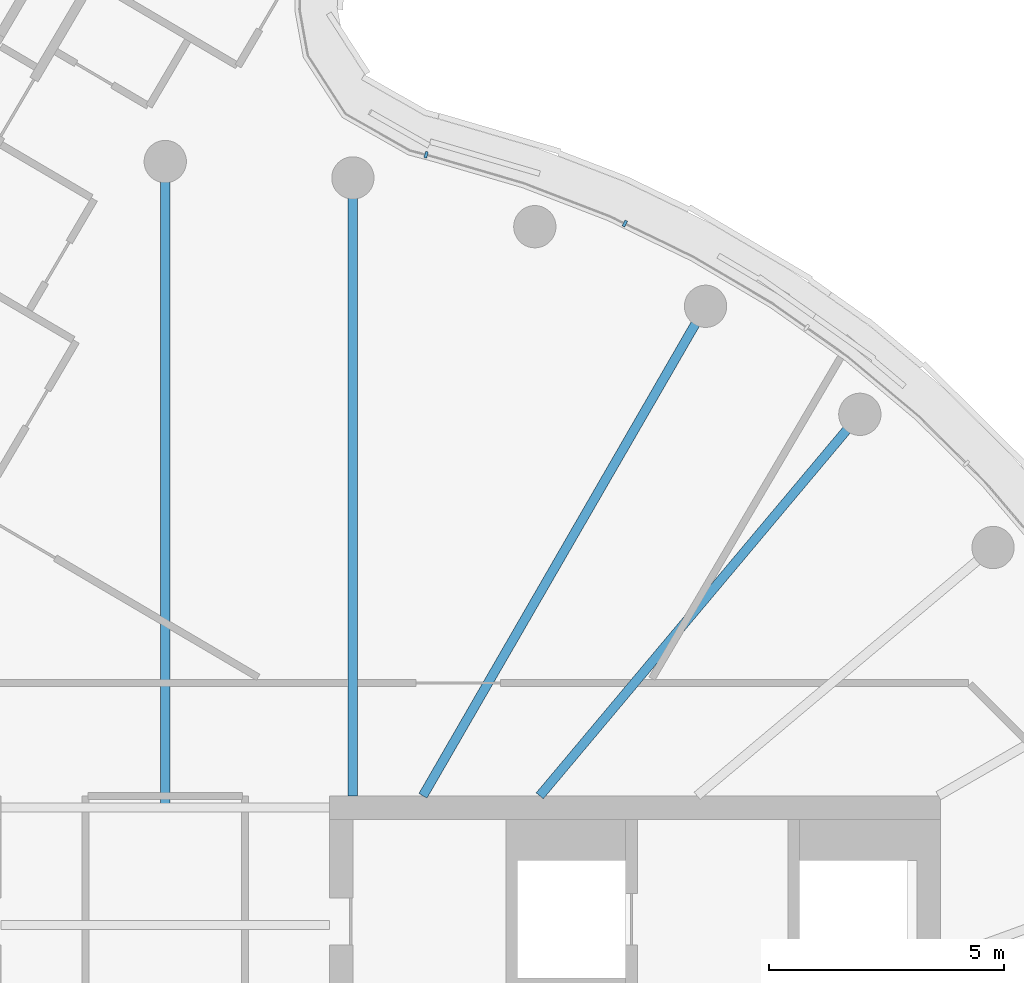
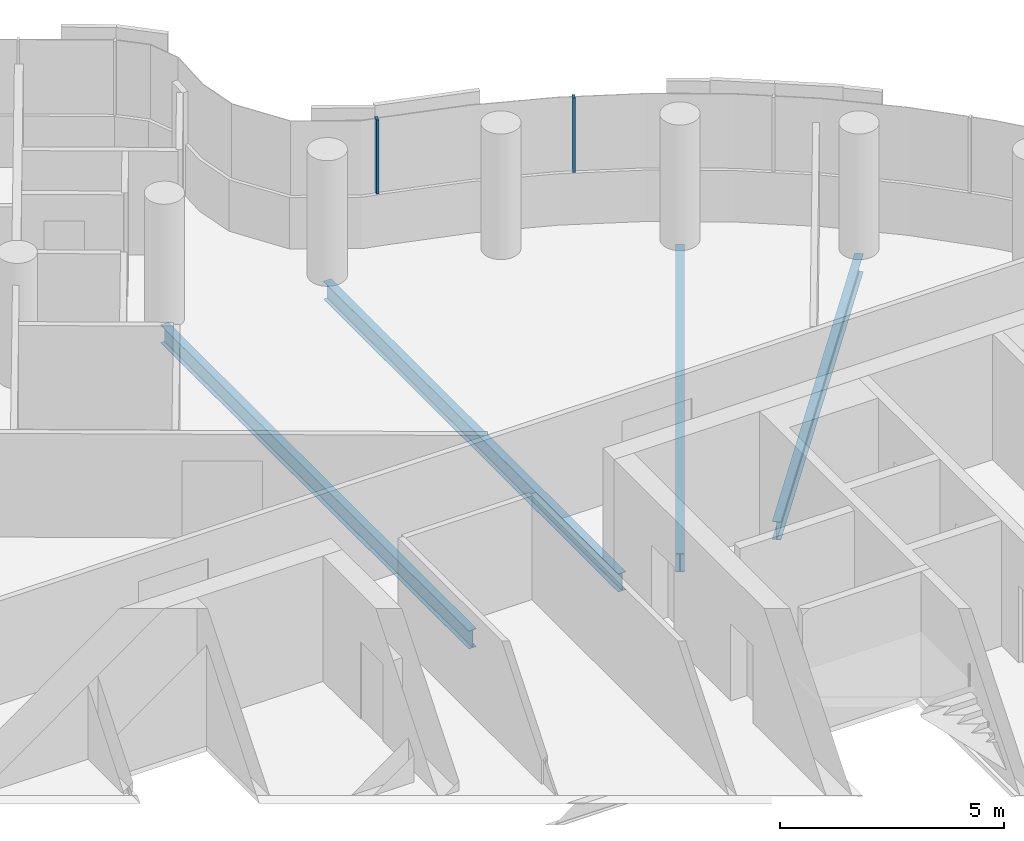
# One storey, part 11 of 26: 4 beams, 2 members, 1 element without a shape of its own.
"""IFC4 building model written with IfcOpenShell, lengths in metres."""

import ifcopenshell
import ifcopenshell.guid

model = None  # the IFC model being written
_history = None  # IfcOwnerHistory: only IFC2X3 demands one
_inside = {}  # id of a spatial element -> (the spatial element, [elements in it])
_under = {}  # id of a project, library or spatial element -> (it, [spatial elements below it])
_declared = {}  # id of a project -> (the project, [libraries it declares])
_typed = {}  # id of a type object -> (the type object, [elements of that type])
_made_of = {}  # id of a material, layer set ... -> (it, [elements and type objects made of it])


def new_model(schema):
    """Start an empty IFC model of exactly this schema.

    Asked for "IFC4X3", IfcOpenShell would pick the latest addendum, in which some entities
    have other attributes; the version numbers below select the first issue.
    IFC2X3 requires an IfcOwnerHistory on every rooted entity: one is made here for all.
    """
    global model, _history
    if schema == "IFC4X3":
        model = ifcopenshell.file(schema_version=(4, 3, 0, 0))
    else:
        model = ifcopenshell.file(schema=schema)
    _inside.clear()
    _under.clear()
    _declared.clear()
    _typed.clear()
    _made_of.clear()
    _history = None
    if model.schema == "IFC2X3":
        org = make("IfcOrganization", Name="unknown")
        user = make(
            "IfcPersonAndOrganization",
            ThePerson=make("IfcPerson", FamilyName="unknown"),
            TheOrganization=org,
        )
        app = make(
            "IfcApplication",
            ApplicationDeveloper=org,
            Version="unknown",
            ApplicationFullName="unknown",
            ApplicationIdentifier="unknown",
        )
        _history = make(
            "IfcOwnerHistory",
            OwningUser=user,
            OwningApplication=app,
            ChangeAction="ADDED",
            CreationDate=0,
        )
    return model


def make(cls, **values):
    """One entity of the class cls with the attributes given. An attribute that is None is left unset."""
    return model.create_entity(
        cls, **{name: value for name, value in values.items() if value is not None}
    )


def rooted(cls, **values):
    """An entity with a GlobalId (a new one), such as an element, a storey or a relation."""
    return make(cls, GlobalId=ifcopenshell.guid.new(), OwnerHistory=_history, **values)


def si_unit(unit_type, name, prefix=None):
    """IfcSIUnit, for example si_unit("LENGTHUNIT", "METRE", prefix="MILLI")."""
    return make("IfcSIUnit", UnitType=unit_type, Prefix=prefix, Name=name)


def assignment(units):
    """IfcUnitAssignment: the units of a project."""
    return None if units is None else make("IfcUnitAssignment", Units=units)


def point(xyz):
    """IfcCartesianPoint."""
    return None if xyz is None else make("IfcCartesianPoint", Coordinates=xyz)


def direction(xyz):
    """IfcDirection."""
    return None if xyz is None else make("IfcDirection", DirectionRatios=xyz)


def frame(location, z_axis=None, x_axis=None):
    """IfcAxis2Placement3D, a coordinate frame: its origin and axes. An axis left out is left unset."""
    return make(
        "IfcAxis2Placement3D",
        Location=point(location),
        Axis=direction(z_axis),
        RefDirection=direction(x_axis),
    )


def frame_2d(location, x_axis=None):
    """IfcAxis2Placement2D, a coordinate frame in the plane: its origin and x axis."""
    return make(
        "IfcAxis2Placement2D", Location=point(location), RefDirection=direction(x_axis)
    )


def origin():
    """The frame at (0, 0, 0) with its axes left unset."""
    return frame((0.0, 0.0, 0.0))


def origin_2d():
    """The frame at (0, 0) in the plane with its x axis left unset."""
    return frame_2d((0.0, 0.0))


def place(relative_to, where):
    """IfcLocalPlacement: puts the frame where relative to a parent placement (None: the world)."""
    return make(
        "IfcLocalPlacement", PlacementRelTo=relative_to, RelativePlacement=where
    )


def context(
    kind, dimensions, precision=None, world=None, true_north=None, identifier=None
):
    """IfcGeometricRepresentationContext, for example the 3D "Model" context."""
    return make(
        "IfcGeometricRepresentationContext",
        ContextIdentifier=identifier,
        ContextType=kind,
        CoordinateSpaceDimension=dimensions,
        Precision=precision,
        WorldCoordinateSystem=world,
        TrueNorth=true_north,
    )


def subcontext(parent, identifier, kind, view, scale=None):
    """IfcGeometricRepresentationSubContext, for example "Body" below "Model"."""
    return make(
        "IfcGeometricRepresentationSubContext",
        ContextIdentifier=identifier,
        ContextType=kind,
        ParentContext=parent,
        TargetScale=scale,
        TargetView=view,
    )


def project(units=None, contexts=None):
    """IfcProject with its units and contexts."""
    return rooted(
        "IfcProject",
        Name="project",
        RepresentationContexts=contexts,
        UnitsInContext=assignment(units),
    )


def spatial(cls, under=None, at=None, **own):
    """A site, building, storey or space (cls), placed at a placement, below another one or the project."""
    s = rooted(cls, ObjectPlacement=at, **own)
    if under is not None:
        _under.setdefault(under.id(), (under, []))[1].append(s)
    return s


def profile(cls, at=None, kind="AREA", **sizes):
    """A parametric profile (cls). Its sizes go by their IFC names, for example OverallWidth=200.0."""
    return make(cls, ProfileType=kind, Position=at, **sizes)


def rectangle(**sizes):
    """IfcRectangleProfileDef."""
    return profile("IfcRectangleProfileDef", **sizes)


def i_section(**sizes):
    """IfcIShapeProfileDef."""
    return profile("IfcIShapeProfileDef", **sizes)


def extrude(swept, where, along, depth):
    """IfcExtrudedAreaSolid: the profile swept, set in the frame where, extruded along a direction by depth."""
    return make(
        "IfcExtrudedAreaSolid",
        SweptArea=swept,
        Position=where,
        ExtrudedDirection=direction(along),
        Depth=depth,
    )


def shape(context_of_items, identifier, shape_type, items):
    """IfcShapeRepresentation: the items that make up one representation, for example the "Body"."""
    return make(
        "IfcShapeRepresentation",
        ContextOfItems=context_of_items,
        RepresentationIdentifier=identifier,
        RepresentationType=shape_type,
        Items=items,
    )


def material(Name=None, Category=None):
    """IfcMaterial."""
    return make("IfcMaterial", Name=Name, Category=Category)


def layer(
    of_material, thickness, ventilated=None, Name=None, Category=None, Priority=None
):
    """IfcMaterialLayer: one layer of a wall or slab, of a material (None: an air gap)."""
    return make(
        "IfcMaterialLayer",
        Material=of_material,
        LayerThickness=thickness,
        IsVentilated=ventilated,
        Name=Name,
        Category=Category,
        Priority=Priority,
    )


def layer_set(layers, Name=None):
    """IfcMaterialLayerSet."""
    return make("IfcMaterialLayerSet", MaterialLayers=layers, LayerSetName=Name)


def material_profile(
    of_material, cross_section, Name=None, Category=None, Priority=None
):
    """IfcMaterialProfile: a cross section and its material."""
    return make(
        "IfcMaterialProfile",
        Name=Name,
        Material=of_material,
        Profile=cross_section,
        Priority=Priority,
        Category=Category,
    )


def profile_set(profiles, Name=None, composite=None):
    """IfcMaterialProfileSet."""
    return make(
        "IfcMaterialProfileSet",
        Name=Name,
        MaterialProfiles=profiles,
        CompositeProfile=composite,
    )


def made_of(thing, what):
    """Note that an element or type object is made of a material, layer set ...; save() writes the relation."""
    if what is not None:
        _made_of.setdefault(what.id(), (what, []))[1].append(thing)
    return thing


def type_object(cls, material=None, **own):
    """A type object (cls), such as IfcWallType, which elements share."""
    return made_of(rooted(cls, **own), material)


def element(
    cls,
    number,
    at=None,
    inside=None,
    cuts=None,
    type_object=None,
    material=None,
    context=None,
    identifier="Body",
    shape_type=None,
    held_by="IfcProductDefinitionShape",
    body=None,
    shapes=None,
    **own,
):
    """One element of the class cls, such as IfcWall. Its Tag is "e" and its number.

    at: its placement. inside: the storey or other place that contains it. cuts: it is an
    opening in that element (IfcRelVoidsElement). A single representation is given by context,
    identifier, shape_type and body (its items); several are given by shapes. held_by: the class
    of the entity that holds the representations. save() writes the other relations.
    """
    e = rooted(cls, Tag="e%d" % number, ObjectPlacement=at, **own)
    if body is not None:
        shapes = [shape(context, identifier, shape_type, body)]
    if shapes is not None:
        e.Representation = make(held_by, Representations=shapes)
    if inside is not None:
        _inside.setdefault(inside.id(), (inside, []))[1].append(e)
    if cuts is not None:
        rooted(
            "IfcRelVoidsElement", RelatingBuildingElement=cuts, RelatedOpeningElement=e
        )
    if type_object is not None:
        _typed.setdefault(type_object.id(), (type_object, []))[1].append(e)
    return made_of(e, material)


def aggregate(whole, parts):
    """IfcRelAggregates: a whole, such as a stair, and the parts it consists of."""
    return rooted("IfcRelAggregates", RelatingObject=whole, RelatedObjects=parts)


def save(model, path):
    """Write the relations noted so far, then the file.

    IfcRelAggregates (storeys below a building ...), IfcRelContainedInSpatialStructure (elements
    in a storey), IfcRelDefinesByType, IfcRelAssociatesMaterial and IfcRelDeclares: one each for
    every whole, place, type object, material and project.
    """
    for whole, parts in _under.values():
        aggregate(whole, parts)
    for where, things in _inside.values():
        rooted(
            "IfcRelContainedInSpatialStructure",
            RelatedElements=things,
            RelatingStructure=where,
        )
    for kind, things in _typed.values():
        rooted("IfcRelDefinesByType", RelatedObjects=things, RelatingType=kind)
    for what, things in _made_of.values():
        rooted("IfcRelAssociatesMaterial", RelatedObjects=things, RelatingMaterial=what)
    for by, libraries in _declared.values():
        rooted("IfcRelDeclares", RelatingContext=by, RelatedDefinitions=libraries)
    model.write(path)


model = new_model("IFC4")

# Units and contexts
model_context = context("Model", 3, precision=1e-05, world=origin(), true_north=direction((0.0, 1.0)))
body_context = subcontext(model_context, "Body", "Model", "MODEL_VIEW")
ifc_project = project(units=[si_unit("LENGTHUNIT", "METRE"), si_unit("AREAUNIT", "SQUARE_METRE"), si_unit("VOLUMEUNIT", "CUBIC_METRE"), si_unit("PLANEANGLEUNIT", "RADIAN"), si_unit("MASSUNIT", "GRAM", prefix="KILO")], contexts=[model_context])

# Site, building, storey
site_placement = place(None, origin())
site = spatial("IfcSite", under=ifc_project, at=site_placement, CompositionType="ELEMENT")
building_placement = place(site_placement, origin())
building = spatial("IfcBuilding", under=site, at=building_placement, Name="Tamarind Cross Interchange Tower", CompositionType="ELEMENT")
storey_placement = place(building_placement, frame((0.0, 0.0, 248.699951171875)))
storey = spatial("IfcBuildingStorey", under=building, at=storey_placement, Name="L63", CompositionType="ELEMENT", Elevation=248.699951171875)

# Beams
ifc_material_1 = material(Name="Steel Q355B", Category="steel")
ifc_material_profile_1 = material_profile(ifc_material_1, i_section(OverallWidth=0.198974609375, OverallDepth=0.49609375, WebThickness=0.009033203125, FlangeThickness=0.013916015625, FilletRadius=0.012939453125, at=origin_2d()), Name="HN 496x199x9x14")
ifc_profile_set_1 = profile_set([ifc_material_profile_1], Name="Steel Q355B")
beam_type = type_object("IfcBeamType", Name="Composite beam HN 496x199x9x14 Q355B", PredefinedType="BEAM", material=ifc_profile_set_1)
beam_1_placement = place(storey_placement, frame((14.7841796875, 17.619140625, -0.387939453125), z_axis=(-0.642786293979, -0.766045547127, 0.0), x_axis=(0.766045547127, -0.642786293979, 0.0)))
element("IfcBeam", 1, at=beam_1_placement, inside=storey, type_object=beam_type, Name="Beam HH05", PredefinedType="BEAM", context=body_context, shape_type="SweptSolid", body=[
    extrude(i_section(OverallWidth=0.198974609375, OverallDepth=0.49609375, WebThickness=0.009033203125, FlangeThickness=0.013916015625, FilletRadius=0.012939453125, at=origin_2d()), origin(), (0.0, 0.0, 1.0), 10.598876953125),
])
beam_2_placement = place(storey_placement, frame((11.5, 19.918701171875, -0.387939453125), z_axis=(-0.499993565836, -0.866029118519, 0.0), x_axis=(0.866029118519, -0.499993565836, 0.0)))
element("IfcBeam", 2, at=beam_2_placement, inside=storey, type_object=beam_type, Name="Beam HH06", PredefinedType="BEAM", context=body_context, shape_type="SweptSolid", body=[
    extrude(i_section(OverallWidth=0.198974609375, OverallDepth=0.49609375, WebThickness=0.009033203125, FlangeThickness=0.013916015625, FilletRadius=0.012939453125, at=origin_2d()), origin(), (0.0, 0.0, 1.0), 12.030517578125),
])
beam_3_placement = place(storey_placement, frame((3.993896484375, 22.650634765625, -0.387939453125), z_axis=(0.0, -1.0, 0.0), x_axis=(1.0, 0.0, 0.0)))
element("IfcBeam", 3, at=beam_3_placement, inside=storey, type_object=beam_type, Name="Beam HH08", PredefinedType="BEAM", context=body_context, shape_type="SweptSolid", body=[
    extrude(i_section(OverallWidth=0.198974609375, OverallDepth=0.49609375, WebThickness=0.009033203125, FlangeThickness=0.013916015625, FilletRadius=0.012939453125, at=origin_2d()), origin(), (0.0, 0.0, 1.0), 13.150634765625),
])
beam_4_placement = place(storey_placement, frame((0.0, 23.0, -0.387939453125), z_axis=(0.0, -1.0, 0.0), x_axis=(1.0, 0.0, 0.0)))
element("IfcBeam", 4, at=beam_4_placement, inside=storey, type_object=beam_type, Name="Beam HH09", PredefinedType="BEAM", context=body_context, shape_type="SweptSolid", body=[
    extrude(i_section(OverallWidth=0.198974609375, OverallDepth=0.49609375, WebThickness=0.009033203125, FlangeThickness=0.013916015625, FilletRadius=0.012939453125, at=origin_2d()), origin(), (0.0, 0.0, 1.0), 13.75),
])

# Curtain wall, members
ifc_material_2 = material(Name="Aluminium 6063-T6", Category="aluminium")
ifc_layer = layer(ifc_material_2, 0.139892578125)
ifc_layer_set = layer_set([ifc_layer], Name="Aluminium 6063-T6")
curtain_wall_type = type_object("IfcCurtainWallType", Name="Hotel curtain wall, 4.5 m bays", PredefinedType="NOTDEFINED", material=ifc_layer_set)
curtain_wall_placement = place(storey_placement, origin())
curtain_wall = element("IfcCurtainWall", 5, at=curtain_wall_placement, inside=storey, type_object=curtain_wall_type, Name="CWS-L63-01", PredefinedType="NOTDEFINED")
ifc_material_profile_2 = material_profile(ifc_material_2, rectangle(XDim=0.06005859375, YDim=0.139892578125, at=origin_2d()), Name="Mullion CW2")
ifc_profile_set_2 = profile_set([ifc_material_profile_2], Name="Aluminium 6063-T6")
member_type = type_object("IfcMemberType", Name="Mullion CW2", PredefinedType="MULLION", material=ifc_profile_set_2)
member_1_placement = place(storey_placement, frame((9.781494140625, 21.67919921875, 1.400146484375), z_axis=(0.0, 0.0, 1.0), x_axis=(-0.900272776334, 0.435326231914, 0.0)))
member_1 = element("IfcMember", 6, at=member_1_placement, type_object=member_type, Name="CWM-L63-01-20", PredefinedType="MULLION", context=body_context, shape_type="SweptSolid", body=[
    extrude(rectangle(XDim=0.06005859375, YDim=0.139892578125, at=origin_2d()), origin(), (0.0, 0.0, 1.0), 2.02001953125),
])
member_2_placement = place(storey_placement, frame((5.552001953125, 23.143310546875, 1.400146484375), z_axis=(0.0, 0.0, 1.0), x_axis=(-0.966325830551, 0.257321567714, 0.0)))
member_2 = element("IfcMember", 7, at=member_2_placement, type_object=member_type, Name="CWM-L63-01-21", PredefinedType="MULLION", context=body_context, shape_type="SweptSolid", body=[
    extrude(rectangle(XDim=0.06005859375, YDim=0.139892578125, at=origin_2d()), origin(), (0.0, 0.0, 1.0), 2.02001953125),
])
aggregate(curtain_wall, [member_1, member_2])

save(model, "model.ifc")
